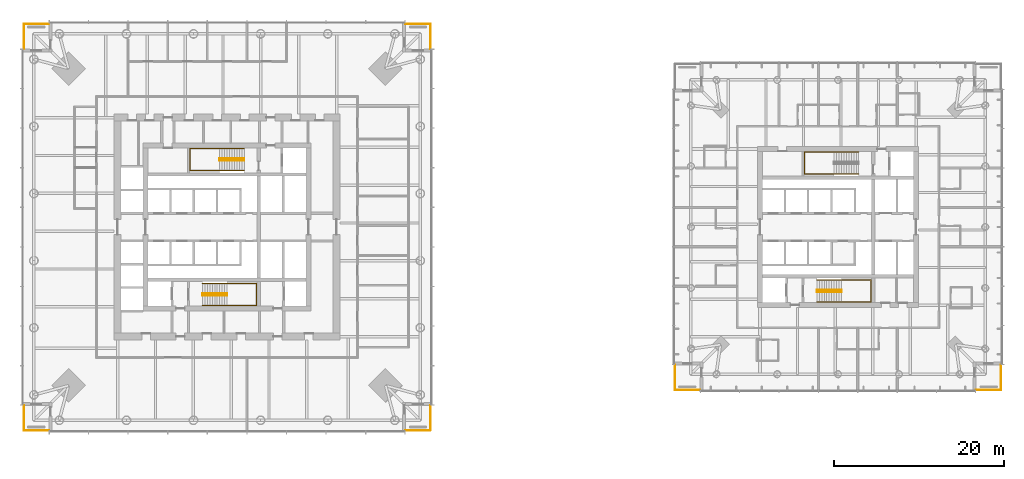
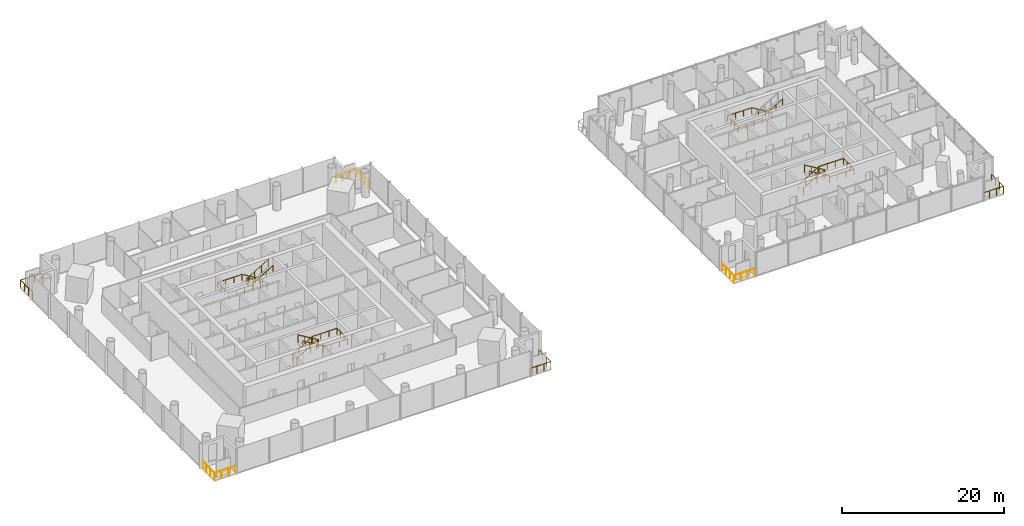
# One storey, part 20 of 21: 13 railings.
"""IFC4 building model written with IfcOpenShell, lengths in metres."""

from ifc_helpers import new_model, si_unit, direction, frame, origin, origin_2d, place, context, subcontext, project, spatial, circle, extrude, material, type_object, element, save


model = new_model("IFC4")

# Units and contexts
model_context = context("Model", 3, precision=1e-05, world=origin(), true_north=direction((0.0, 1.0)))
body_context = subcontext(model_context, "Body", "Model", "MODEL_VIEW")
ifc_project = project(units=[si_unit("LENGTHUNIT", "METRE"), si_unit("AREAUNIT", "SQUARE_METRE"), si_unit("VOLUMEUNIT", "CUBIC_METRE"), si_unit("PLANEANGLEUNIT", "RADIAN"), si_unit("MASSUNIT", "GRAM", prefix="KILO")], contexts=[model_context])

# Site, building, storey
site_placement = place(None, origin())
site = spatial("IfcSite", under=ifc_project, at=site_placement, CompositionType="ELEMENT")
building_placement = place(site_placement, origin())
building = spatial("IfcBuilding", under=site, at=building_placement, Name="Ostroluk Exchange", CompositionType="ELEMENT")
storey_placement = place(building_placement, frame((0.0, 0.0, 59.0)))
storey = spatial("IfcBuildingStorey", under=building, at=storey_placement, Name="L14", CompositionType="ELEMENT", Elevation=59.0)

# Railings
ifc_material_1 = material(Name="Stainless steel", Category="steel")
railing_type_1 = type_object("IfcRailingType", Name="Guard 1100 stainless steel", PredefinedType="GUARDRAIL", material=ifc_material_1)
railing_1_placement = place(storey_placement, frame((66.0, 22.050048828125, 0.0)))
element("IfcRailing", 1, at=railing_1_placement, inside=storey, type_object=railing_type_1, Name="Office tower SE balcony guard L14", PredefinedType="GUARDRAIL", context=body_context, shape_type="SweptSolid", body=[
    extrude(circle(Radius=0.02392578125, at=origin_2d()), frame((0.0, 0.0, 1.076171875), z_axis=(1.0, 0.0, 0.0), x_axis=(0.0, 1.0, 0.0)), (0.0, 0.0, 1.0), 2.949951171875),
    extrude(circle(Radius=0.02392578125, at=origin_2d()), frame((2.949951171875, 0.0, 1.076171875), z_axis=(0.0, 1.0, 0.0), x_axis=(-1.0, 0.0, 0.0)), (0.0, 0.0, 1.0), 2.949951171875),
    extrude(circle(Radius=0.02099609375, at=origin_2d()), origin(), (0.0, 0.0, 1.0), 1.052001953125),
    extrude(circle(Radius=0.02099609375, at=origin_2d()), frame((0.9833984375, 0.0, 0.0)), (0.0, 0.0, 1.0), 1.052001953125),
    extrude(circle(Radius=0.02099609375, at=origin_2d()), frame((1.966552734375, 0.0, 0.0)), (0.0, 0.0, 1.0), 1.052001953125),
    extrude(circle(Radius=0.02099609375, at=origin_2d()), frame((2.949951171875, 0.0, 0.0)), (0.0, 0.0, 1.0), 1.052001953125),
    extrude(circle(Radius=0.02099609375, at=origin_2d()), frame((2.949951171875, 0.9833984375, 0.0)), (0.0, 0.0, 1.0), 1.052001953125),
    extrude(circle(Radius=0.02099609375, at=origin_2d()), frame((2.949951171875, 1.966552734375, 0.0)), (0.0, 0.0, 1.0), 1.052001953125),
    extrude(circle(Radius=0.02099609375, at=origin_2d()), frame((2.949951171875, 2.949951171875, 0.0)), (0.0, 0.0, 1.0), 1.052001953125),
])
railing_2_placement = place(storey_placement, frame((66.0, 69.949951171875, 0.0)))
element("IfcRailing", 2, at=railing_2_placement, inside=storey, type_object=railing_type_1, Name="Office tower NE balcony guard L14", PredefinedType="GUARDRAIL", context=body_context, shape_type="SweptSolid", body=[
    extrude(circle(Radius=0.02392578125, at=origin_2d()), frame((0.0, 0.0, 1.076171875), z_axis=(1.0, 0.0, 0.0), x_axis=(0.0, 1.0, 0.0)), (0.0, 0.0, 1.0), 2.949951171875),
    extrude(circle(Radius=0.02392578125, at=origin_2d()), frame((2.949951171875, 0.0, 1.076171875), z_axis=(0.0, -1.0, 0.0), x_axis=(1.0, 0.0, 0.0)), (0.0, 0.0, 1.0), 2.949951171875),
    extrude(circle(Radius=0.02099609375, at=origin_2d()), origin(), (0.0, 0.0, 1.0), 1.052001953125),
    extrude(circle(Radius=0.02099609375, at=origin_2d()), frame((0.9833984375, 0.0, 0.0)), (0.0, 0.0, 1.0), 1.052001953125),
    extrude(circle(Radius=0.02099609375, at=origin_2d()), frame((1.966552734375, 0.0, 0.0)), (0.0, 0.0, 1.0), 1.052001953125),
    extrude(circle(Radius=0.02099609375, at=origin_2d()), frame((2.949951171875, 0.0, 0.0)), (0.0, 0.0, 1.0), 1.052001953125),
    extrude(circle(Radius=0.02099609375, at=origin_2d()), frame((2.949951171875, -0.9833984375, 0.0)), (0.0, 0.0, 1.0), 1.052001953125),
    extrude(circle(Radius=0.02099609375, at=origin_2d()), frame((2.949951171875, -1.966552734375, 0.0)), (0.0, 0.0, 1.0), 1.052001953125),
    extrude(circle(Radius=0.02099609375, at=origin_2d()), frame((2.949951171875, -2.949951171875, 0.0)), (0.0, 0.0, 1.0), 1.052001953125),
])
railing_3_placement = place(storey_placement, frame((24.0, 69.949951171875, 0.0)))
element("IfcRailing", 3, at=railing_3_placement, inside=storey, type_object=railing_type_1, Name="Office tower NW balcony guard L14", PredefinedType="GUARDRAIL", context=body_context, shape_type="SweptSolid", body=[
    extrude(circle(Radius=0.02392578125, at=origin_2d()), frame((0.0, 0.0, 1.076171875), z_axis=(-1.0, 0.0, 0.0), x_axis=(0.0, -1.0, 0.0)), (0.0, 0.0, 1.0), 2.949951171875),
    extrude(circle(Radius=0.02392578125, at=origin_2d()), frame((-2.949951171875, 0.0, 1.076171875), z_axis=(0.0, -1.0, 0.0), x_axis=(1.0, 0.0, 0.0)), (0.0, 0.0, 1.0), 2.949951171875),
    extrude(circle(Radius=0.02099609375, at=origin_2d()), origin(), (0.0, 0.0, 1.0), 1.052001953125),
    extrude(circle(Radius=0.02099609375, at=origin_2d()), frame((-0.9833984375, 0.0, 0.0)), (0.0, 0.0, 1.0), 1.052001953125),
    extrude(circle(Radius=0.02099609375, at=origin_2d()), frame((-1.966552734375, 0.0, 0.0)), (0.0, 0.0, 1.0), 1.052001953125),
    extrude(circle(Radius=0.02099609375, at=origin_2d()), frame((-2.949951171875, 0.0, 0.0)), (0.0, 0.0, 1.0), 1.052001953125),
    extrude(circle(Radius=0.02099609375, at=origin_2d()), frame((-2.949951171875, -0.9833984375, 0.0)), (0.0, 0.0, 1.0), 1.052001953125),
    extrude(circle(Radius=0.02099609375, at=origin_2d()), frame((-2.949951171875, -1.966552734375, 0.0)), (0.0, 0.0, 1.0), 1.052001953125),
    extrude(circle(Radius=0.02099609375, at=origin_2d()), frame((-2.949951171875, -2.949951171875, 0.0)), (0.0, 0.0, 1.0), 1.052001953125),
])
railing_4_placement = place(storey_placement, frame((24.0, 22.050048828125, 0.0)))
element("IfcRailing", 4, at=railing_4_placement, inside=storey, type_object=railing_type_1, Name="Office tower SW balcony guard L14", PredefinedType="GUARDRAIL", context=body_context, shape_type="SweptSolid", body=[
    extrude(circle(Radius=0.02392578125, at=origin_2d()), frame((0.0, 0.0, 1.076171875), z_axis=(-1.0, 0.0, 0.0), x_axis=(0.0, -1.0, 0.0)), (0.0, 0.0, 1.0), 2.949951171875),
    extrude(circle(Radius=0.02392578125, at=origin_2d()), frame((-2.949951171875, 0.0, 1.076171875), z_axis=(0.0, 1.0, 0.0), x_axis=(-1.0, 0.0, 0.0)), (0.0, 0.0, 1.0), 2.949951171875),
    extrude(circle(Radius=0.02099609375, at=origin_2d()), origin(), (0.0, 0.0, 1.0), 1.052001953125),
    extrude(circle(Radius=0.02099609375, at=origin_2d()), frame((-0.9833984375, 0.0, 0.0)), (0.0, 0.0, 1.0), 1.052001953125),
    extrude(circle(Radius=0.02099609375, at=origin_2d()), frame((-1.966552734375, 0.0, 0.0)), (0.0, 0.0, 1.0), 1.052001953125),
    extrude(circle(Radius=0.02099609375, at=origin_2d()), frame((-2.949951171875, 0.0, 0.0)), (0.0, 0.0, 1.0), 1.052001953125),
    extrude(circle(Radius=0.02099609375, at=origin_2d()), frame((-2.949951171875, 0.9833984375, 0.0)), (0.0, 0.0, 1.0), 1.052001953125),
    extrude(circle(Radius=0.02099609375, at=origin_2d()), frame((-2.949951171875, 1.966552734375, 0.0)), (0.0, 0.0, 1.0), 1.052001953125),
    extrude(circle(Radius=0.02099609375, at=origin_2d()), frame((-2.949951171875, 2.949951171875, 0.0)), (0.0, 0.0, 1.0), 1.052001953125),
])
railing_5_placement = place(storey_placement, frame((133.25, 26.800048828125, 0.0)))
element("IfcRailing", 5, at=railing_5_placement, inside=storey, type_object=railing_type_1, Name="Hotel tower SE balcony guard L14", PredefinedType="GUARDRAIL", context=body_context, shape_type="SweptSolid", body=[
    extrude(circle(Radius=0.02392578125, at=origin_2d()), frame((0.0, 0.0, 1.076171875), z_axis=(1.0, 0.0, 0.0), x_axis=(0.0, 1.0, 0.0)), (0.0, 0.0, 1.0), 2.949951171875),
    extrude(circle(Radius=0.02392578125, at=origin_2d()), frame((2.949951171875, 0.0, 1.076171875), z_axis=(0.0, 1.0, 0.0), x_axis=(-1.0, 0.0, 0.0)), (0.0, 0.0, 1.0), 2.949951171875),
    extrude(circle(Radius=0.02099609375, at=origin_2d()), origin(), (0.0, 0.0, 1.0), 1.052001953125),
    extrude(circle(Radius=0.02099609375, at=origin_2d()), frame((0.9833984375, 0.0, 0.0)), (0.0, 0.0, 1.0), 1.052001953125),
    extrude(circle(Radius=0.02099609375, at=origin_2d()), frame((1.966552734375, 0.0, 0.0)), (0.0, 0.0, 1.0), 1.052001953125),
    extrude(circle(Radius=0.02099609375, at=origin_2d()), frame((2.949951171875, 0.0, 0.0)), (0.0, 0.0, 1.0), 1.052001953125),
    extrude(circle(Radius=0.02099609375, at=origin_2d()), frame((2.949951171875, 0.9833984375, 0.0)), (0.0, 0.0, 1.0), 1.052001953125),
    extrude(circle(Radius=0.02099609375, at=origin_2d()), frame((2.949951171875, 1.966552734375, 0.0)), (0.0, 0.0, 1.0), 1.052001953125),
    extrude(circle(Radius=0.02099609375, at=origin_2d()), frame((2.949951171875, 2.949951171875, 0.0)), (0.0, 0.0, 1.0), 1.052001953125),
])
railing_6_placement = place(storey_placement, frame((100.75, 26.800048828125, 0.0)))
element("IfcRailing", 6, at=railing_6_placement, inside=storey, type_object=railing_type_1, Name="Hotel tower SW balcony guard L14", PredefinedType="GUARDRAIL", context=body_context, shape_type="SweptSolid", body=[
    extrude(circle(Radius=0.02392578125, at=origin_2d()), frame((0.0, 0.0, 1.076171875), z_axis=(-1.0, 0.0, 0.0), x_axis=(0.0, -1.0, 0.0)), (0.0, 0.0, 1.0), 2.949951171875),
    extrude(circle(Radius=0.02392578125, at=origin_2d()), frame((-2.949951171875, 0.0, 1.076171875), z_axis=(0.0, 1.0, 0.0), x_axis=(-1.0, 0.0, 0.0)), (0.0, 0.0, 1.0), 2.949951171875),
    extrude(circle(Radius=0.02099609375, at=origin_2d()), origin(), (0.0, 0.0, 1.0), 1.052001953125),
    extrude(circle(Radius=0.02099609375, at=origin_2d()), frame((-0.9833984375, 0.0, 0.0)), (0.0, 0.0, 1.0), 1.052001953125),
    extrude(circle(Radius=0.02099609375, at=origin_2d()), frame((-1.966552734375, 0.0, 0.0)), (0.0, 0.0, 1.0), 1.052001953125),
    extrude(circle(Radius=0.02099609375, at=origin_2d()), frame((-2.949951171875, 0.0, 0.0)), (0.0, 0.0, 1.0), 1.052001953125),
    extrude(circle(Radius=0.02099609375, at=origin_2d()), frame((-2.949951171875, 0.9833984375, 0.0)), (0.0, 0.0, 1.0), 1.052001953125),
    extrude(circle(Radius=0.02099609375, at=origin_2d()), frame((-2.949951171875, 1.966552734375, 0.0)), (0.0, 0.0, 1.0), 1.052001953125),
    extrude(circle(Radius=0.02099609375, at=origin_2d()), frame((-2.949951171875, 2.949951171875, 0.0)), (0.0, 0.0, 1.0), 1.052001953125),
])
ifc_material_2 = material(Name="Steel S355", Category="steel")
railing_type_2 = type_object("IfcRailingType", Name="Stair guard 1100", PredefinedType="GUARDRAIL", material=ifc_material_2)
railing_7_placement = place(storey_placement, frame((42.10009765625, 38.179931640625, 0.172607421875)))
element("IfcRailing", 7, at=railing_7_placement, inside=storey, type_object=railing_type_2, Name="Stair T1-S1 guard L14", PredefinedType="GUARDRAIL", context=body_context, shape_type="SweptSolid", body=[
    extrude(circle(Radius=0.02392578125, at=origin_2d()), frame((0.0, 0.0, 1.076171875), z_axis=(0.859141464434, 0.0, 0.511738159696), x_axis=(0.0, 1.0, 0.0)), (0.0, 0.0, 1.0), 3.375244140625),
    extrude(circle(Radius=0.02392578125, at=origin_2d()), frame((2.89990234375, 0.0, 2.80322265625), z_axis=(0.0, -1.0, 0.0), x_axis=(1.0, 0.0, 0.0)), (0.0, 0.0, 1.0), 0.260009765625),
    extrude(circle(Radius=0.02392578125, at=origin_2d()), frame((2.89990234375, -0.260009765625, 2.80322265625), z_axis=(0.0, 0.0, 1.0), x_axis=(1.0, 0.0, 0.0)), (0.0, 0.0, 1.0), 0.1728515625),
    extrude(circle(Radius=0.02392578125, at=origin_2d()), frame((2.89990234375, -0.260009765625, 2.97607421875), z_axis=(-0.859141464434, 0.0, 0.511738159696), x_axis=(0.0, -1.0, 0.0)), (0.0, 0.0, 1.0), 3.375244140625),
    extrude(circle(Radius=0.02099609375, at=origin_2d()), origin(), (0.0, 0.0, 1.0), 1.052001953125),
    extrude(circle(Radius=0.02099609375, at=origin_2d()), frame((0.966552734375, 0.0, 0.57568359375)), (0.0, 0.0, 1.0), 1.052001953125),
    extrude(circle(Radius=0.02099609375, at=origin_2d()), frame((1.933349609375, 0.0, 1.151611328125)), (0.0, 0.0, 1.0), 1.052001953125),
    extrude(circle(Radius=0.02099609375, at=origin_2d()), frame((2.89990234375, 0.0, 1.727294921875)), (0.0, 0.0, 1.0), 1.052001953125),
    extrude(circle(Radius=0.02099609375, at=origin_2d()), frame((2.89990234375, -0.260009765625, 1.727294921875)), (0.0, 0.0, 1.0), 1.052001953125),
    extrude(circle(Radius=0.02099609375, at=origin_2d()), frame((2.89990234375, -0.260009765625, 1.900146484375)), (0.0, 0.0, 1.0), 1.052001953125),
    extrude(circle(Radius=0.02099609375, at=origin_2d()), frame((1.933349609375, -0.260009765625, 2.475830078125)), (0.0, 0.0, 1.0), 1.052001953125),
    extrude(circle(Radius=0.02099609375, at=origin_2d()), frame((0.966552734375, -0.260009765625, 3.0517578125)), (0.0, 0.0, 1.0), 1.052001953125),
    extrude(circle(Radius=0.02099609375, at=origin_2d()), frame((0.0, -0.260009765625, 3.62744140625)), (0.0, 0.0, 1.0), 1.052001953125),
])
railing_8_placement = place(storey_placement, frame((47.030029296875, 54.080078125, 0.172607421875)))
element("IfcRailing", 8, at=railing_8_placement, inside=storey, type_object=railing_type_2, Name="Stair T1-S2 guard L14", PredefinedType="GUARDRAIL", context=body_context, shape_type="SweptSolid", body=[
    extrude(circle(Radius=0.02392578125, at=origin_2d()), frame((0.0, 0.0, 1.076171875), z_axis=(-0.859160404282, 0.0, 0.51170636083), x_axis=(0.0, -1.0, 0.0)), (0.0, 0.0, 1.0), 3.37548828125),
    extrude(circle(Radius=0.02392578125, at=origin_2d()), frame((-2.900146484375, 0.0, 2.80322265625), z_axis=(0.0, -1.0, 0.0), x_axis=(1.0, 0.0, 0.0)), (0.0, 0.0, 1.0), 0.260009765625),
    extrude(circle(Radius=0.02392578125, at=origin_2d()), frame((-2.900146484375, -0.260009765625, 2.80322265625), z_axis=(0.0, 0.0, 1.0), x_axis=(1.0, 0.0, 0.0)), (0.0, 0.0, 1.0), 0.1728515625),
    extrude(circle(Radius=0.02392578125, at=origin_2d()), frame((-2.900146484375, -0.260009765625, 2.97607421875), z_axis=(0.859160404282, 0.0, 0.51170636083), x_axis=(0.0, 1.0, 0.0)), (0.0, 0.0, 1.0), 3.37548828125),
    extrude(circle(Radius=0.02099609375, at=origin_2d()), origin(), (0.0, 0.0, 1.0), 1.052001953125),
    extrude(circle(Radius=0.02099609375, at=origin_2d()), frame((-0.966796875, 0.0, 0.57568359375)), (0.0, 0.0, 1.0), 1.052001953125),
    extrude(circle(Radius=0.02099609375, at=origin_2d()), frame((-1.933349609375, 0.0, 1.151611328125)), (0.0, 0.0, 1.0), 1.052001953125),
    extrude(circle(Radius=0.02099609375, at=origin_2d()), frame((-2.900146484375, 0.0, 1.727294921875)), (0.0, 0.0, 1.0), 1.052001953125),
    extrude(circle(Radius=0.02099609375, at=origin_2d()), frame((-2.900146484375, -0.260009765625, 1.727294921875)), (0.0, 0.0, 1.0), 1.052001953125),
    extrude(circle(Radius=0.02099609375, at=origin_2d()), frame((-2.900146484375, -0.260009765625, 1.900146484375)), (0.0, 0.0, 1.0), 1.052001953125),
    extrude(circle(Radius=0.02099609375, at=origin_2d()), frame((-1.933349609375, -0.260009765625, 2.475830078125)), (0.0, 0.0, 1.0), 1.052001953125),
    extrude(circle(Radius=0.02099609375, at=origin_2d()), frame((-0.966796875, -0.260009765625, 3.0517578125)), (0.0, 0.0, 1.0), 1.052001953125),
    extrude(circle(Radius=0.02099609375, at=origin_2d()), frame((0.0, -0.260009765625, 3.62744140625)), (0.0, 0.0, 1.0), 1.052001953125),
])
railing_9_placement = place(storey_placement, frame((114.5, 38.580078125, 0.172607421875)))
element("IfcRailing", 9, at=railing_9_placement, inside=storey, type_object=railing_type_2, Name="Stair T2-S1 guard L14", PredefinedType="GUARDRAIL", context=body_context, shape_type="SweptSolid", body=[
    extrude(circle(Radius=0.02392578125, at=origin_2d()), frame((0.0, 0.0, 1.076171875), z_axis=(0.859141464434, 0.0, 0.511738159696), x_axis=(0.0, 1.0, 0.0)), (0.0, 0.0, 1.0), 3.375244140625),
    extrude(circle(Radius=0.02392578125, at=origin_2d()), frame((2.89990234375, 0.0, 2.80322265625), z_axis=(0.0, -1.0, 0.0), x_axis=(1.0, 0.0, 0.0)), (0.0, 0.0, 1.0), 0.260009765625),
    extrude(circle(Radius=0.02392578125, at=origin_2d()), frame((2.89990234375, -0.260009765625, 2.80322265625), z_axis=(0.0, 0.0, 1.0), x_axis=(1.0, 0.0, 0.0)), (0.0, 0.0, 1.0), 0.1728515625),
    extrude(circle(Radius=0.02392578125, at=origin_2d()), frame((2.89990234375, -0.260009765625, 2.97607421875), z_axis=(-0.859141464434, 0.0, 0.511738159696), x_axis=(0.0, -1.0, 0.0)), (0.0, 0.0, 1.0), 3.375244140625),
    extrude(circle(Radius=0.02099609375, at=origin_2d()), origin(), (0.0, 0.0, 1.0), 1.052001953125),
    extrude(circle(Radius=0.02099609375, at=origin_2d()), frame((0.966552734375, 0.0, 0.57568359375)), (0.0, 0.0, 1.0), 1.052001953125),
    extrude(circle(Radius=0.02099609375, at=origin_2d()), frame((1.933349609375, 0.0, 1.151611328125)), (0.0, 0.0, 1.0), 1.052001953125),
    extrude(circle(Radius=0.02099609375, at=origin_2d()), frame((2.89990234375, 0.0, 1.727294921875)), (0.0, 0.0, 1.0), 1.052001953125),
    extrude(circle(Radius=0.02099609375, at=origin_2d()), frame((2.89990234375, -0.260009765625, 1.727294921875)), (0.0, 0.0, 1.0), 1.052001953125),
    extrude(circle(Radius=0.02099609375, at=origin_2d()), frame((2.89990234375, -0.260009765625, 1.900146484375)), (0.0, 0.0, 1.0), 1.052001953125),
    extrude(circle(Radius=0.02099609375, at=origin_2d()), frame((1.933349609375, -0.260009765625, 2.475830078125)), (0.0, 0.0, 1.0), 1.052001953125),
    extrude(circle(Radius=0.02099609375, at=origin_2d()), frame((0.966552734375, -0.260009765625, 3.0517578125)), (0.0, 0.0, 1.0), 1.052001953125),
    extrude(circle(Radius=0.02099609375, at=origin_2d()), frame((0.0, -0.260009765625, 3.62744140625)), (0.0, 0.0, 1.0), 1.052001953125),
])
ifc_material_3 = material(Name="Stainless steel", Category="steel")
railing_type_3 = type_object("IfcRailingType", Name="Stair handrail 900", PredefinedType="HANDRAIL", material=ifc_material_3)
railing_10_placement = place(storey_placement, frame((42.10009765625, 39.35009765625, 0.172607421875)))
element("IfcRailing", 10, at=railing_10_placement, inside=storey, type_object=railing_type_3, Name="Stair T1-S1 handrail L14", PredefinedType="HANDRAIL", context=body_context, shape_type="SweptSolid", body=[
    extrude(circle(Radius=0.02392578125, at=origin_2d()), frame((0.0, 0.0, 0.8759765625), z_axis=(0.859141464434, 0.0, 0.511738159696), x_axis=(0.0, 1.0, 0.0)), (0.0, 0.0, 1.0), 3.375244140625),
    extrude(circle(Radius=0.02392578125, at=origin_2d()), frame((2.89990234375, 0.0, 2.60302734375), z_axis=(1.0, 0.0, 0.0), x_axis=(0.0, 1.0, 0.0)), (0.0, 0.0, 1.0), 3.47998046875),
    extrude(circle(Radius=0.02392578125, at=origin_2d()), frame((6.3798828125, 0.0, 2.60302734375), z_axis=(0.0, -1.0, 0.0), x_axis=(1.0, 0.0, 0.0)), (0.0, 0.0, 1.0), 2.60009765625),
    extrude(circle(Radius=0.02392578125, at=origin_2d()), frame((6.3798828125, -2.60009765625, 2.60302734375), z_axis=(-1.0, 0.0, 0.0), x_axis=(0.0, -1.0, 0.0)), (0.0, 0.0, 1.0), 3.47998046875),
    extrude(circle(Radius=0.02392578125, at=origin_2d()), frame((2.89990234375, -2.60009765625, 2.60302734375), z_axis=(0.0, 0.0, 1.0), x_axis=(1.0, 0.0, 0.0)), (0.0, 0.0, 1.0), 0.1728515625),
    extrude(circle(Radius=0.02392578125, at=origin_2d()), frame((2.89990234375, -2.60009765625, 2.77587890625), z_axis=(-0.859141464434, 0.0, 0.511738159696), x_axis=(0.0, -1.0, 0.0)), (0.0, 0.0, 1.0), 3.375244140625),
    extrude(circle(Radius=0.02099609375, at=origin_2d()), origin(), (0.0, 0.0, 1.0), 0.851806640625),
    extrude(circle(Radius=0.02099609375, at=origin_2d()), frame((0.966552734375, 0.0, 0.57568359375)), (0.0, 0.0, 1.0), 0.851806640625),
    extrude(circle(Radius=0.02099609375, at=origin_2d()), frame((1.933349609375, 0.0, 1.151611328125)), (0.0, 0.0, 1.0), 0.851806640625),
    extrude(circle(Radius=0.02099609375, at=origin_2d()), frame((2.89990234375, 0.0, 1.727294921875)), (0.0, 0.0, 1.0), 0.851806640625),
    extrude(circle(Radius=0.02099609375, at=origin_2d()), frame((4.059814453125, 0.0, 1.727294921875)), (0.0, 0.0, 1.0), 0.851806640625),
    extrude(circle(Radius=0.02099609375, at=origin_2d()), frame((5.219970703125, 0.0, 1.727294921875)), (0.0, 0.0, 1.0), 0.851806640625),
    extrude(circle(Radius=0.02099609375, at=origin_2d()), frame((6.3798828125, 0.0, 1.727294921875)), (0.0, 0.0, 1.0), 0.851806640625),
    extrude(circle(Radius=0.02099609375, at=origin_2d()), frame((6.3798828125, -0.86669921875, 1.727294921875)), (0.0, 0.0, 1.0), 0.851806640625),
    extrude(circle(Radius=0.02099609375, at=origin_2d()), frame((6.3798828125, -1.7333984375, 1.727294921875)), (0.0, 0.0, 1.0), 0.851806640625),
    extrude(circle(Radius=0.02099609375, at=origin_2d()), frame((6.3798828125, -2.60009765625, 1.727294921875)), (0.0, 0.0, 1.0), 0.851806640625),
    extrude(circle(Radius=0.02099609375, at=origin_2d()), frame((5.219970703125, -2.60009765625, 1.727294921875)), (0.0, 0.0, 1.0), 0.851806640625),
    extrude(circle(Radius=0.02099609375, at=origin_2d()), frame((4.059814453125, -2.60009765625, 1.727294921875)), (0.0, 0.0, 1.0), 0.851806640625),
    extrude(circle(Radius=0.02099609375, at=origin_2d()), frame((2.89990234375, -2.60009765625, 1.727294921875)), (0.0, 0.0, 1.0), 0.851806640625),
    extrude(circle(Radius=0.02099609375, at=origin_2d()), frame((2.89990234375, -2.60009765625, 1.900146484375)), (0.0, 0.0, 1.0), 0.851806640625),
    extrude(circle(Radius=0.02099609375, at=origin_2d()), frame((1.933349609375, -2.60009765625, 2.475830078125)), (0.0, 0.0, 1.0), 0.851806640625),
    extrude(circle(Radius=0.02099609375, at=origin_2d()), frame((0.966552734375, -2.60009765625, 3.0517578125)), (0.0, 0.0, 1.0), 0.851806640625),
    extrude(circle(Radius=0.02099609375, at=origin_2d()), frame((0.0, -2.60009765625, 3.62744140625)), (0.0, 0.0, 1.0), 0.851806640625),
])
railing_11_placement = place(storey_placement, frame((47.030029296875, 55.25, 0.172607421875)))
element("IfcRailing", 11, at=railing_11_placement, inside=storey, type_object=railing_type_3, Name="Stair T1-S2 handrail L14", PredefinedType="HANDRAIL", context=body_context, shape_type="SweptSolid", body=[
    extrude(circle(Radius=0.02392578125, at=origin_2d()), frame((0.0, 0.0, 0.8759765625), z_axis=(-0.859160404282, 0.0, 0.51170636083), x_axis=(0.0, -1.0, 0.0)), (0.0, 0.0, 1.0), 3.37548828125),
    extrude(circle(Radius=0.02392578125, at=origin_2d()), frame((-2.900146484375, 0.0, 2.60302734375), z_axis=(-1.0, 0.0, 0.0), x_axis=(0.0, -1.0, 0.0)), (0.0, 0.0, 1.0), 3.47998046875),
    extrude(circle(Radius=0.02392578125, at=origin_2d()), frame((-6.380126953125, 0.0, 2.60302734375), z_axis=(0.0, -1.0, 0.0), x_axis=(1.0, 0.0, 0.0)), (0.0, 0.0, 1.0), 2.60009765625),
    extrude(circle(Radius=0.02392578125, at=origin_2d()), frame((-6.380126953125, -2.60009765625, 2.60302734375), z_axis=(1.0, 0.0, 0.0), x_axis=(0.0, 1.0, 0.0)), (0.0, 0.0, 1.0), 3.47998046875),
    extrude(circle(Radius=0.02392578125, at=origin_2d()), frame((-2.900146484375, -2.60009765625, 2.60302734375), z_axis=(0.0, 0.0, 1.0), x_axis=(1.0, 0.0, 0.0)), (0.0, 0.0, 1.0), 0.1728515625),
    extrude(circle(Radius=0.02392578125, at=origin_2d()), frame((-2.900146484375, -2.60009765625, 2.77587890625), z_axis=(0.859160404282, 0.0, 0.51170636083), x_axis=(0.0, 1.0, 0.0)), (0.0, 0.0, 1.0), 3.37548828125),
    extrude(circle(Radius=0.02099609375, at=origin_2d()), origin(), (0.0, 0.0, 1.0), 0.851806640625),
    extrude(circle(Radius=0.02099609375, at=origin_2d()), frame((-0.966796875, 0.0, 0.57568359375)), (0.0, 0.0, 1.0), 0.851806640625),
    extrude(circle(Radius=0.02099609375, at=origin_2d()), frame((-1.933349609375, 0.0, 1.151611328125)), (0.0, 0.0, 1.0), 0.851806640625),
    extrude(circle(Radius=0.02099609375, at=origin_2d()), frame((-2.900146484375, 0.0, 1.727294921875)), (0.0, 0.0, 1.0), 0.851806640625),
    extrude(circle(Radius=0.02099609375, at=origin_2d()), frame((-4.06005859375, 0.0, 1.727294921875)), (0.0, 0.0, 1.0), 0.851806640625),
    extrude(circle(Radius=0.02099609375, at=origin_2d()), frame((-5.22021484375, 0.0, 1.727294921875)), (0.0, 0.0, 1.0), 0.851806640625),
    extrude(circle(Radius=0.02099609375, at=origin_2d()), frame((-6.380126953125, 0.0, 1.727294921875)), (0.0, 0.0, 1.0), 0.851806640625),
    extrude(circle(Radius=0.02099609375, at=origin_2d()), frame((-6.380126953125, -0.86669921875, 1.727294921875)), (0.0, 0.0, 1.0), 0.851806640625),
    extrude(circle(Radius=0.02099609375, at=origin_2d()), frame((-6.380126953125, -1.7333984375, 1.727294921875)), (0.0, 0.0, 1.0), 0.851806640625),
    extrude(circle(Radius=0.02099609375, at=origin_2d()), frame((-6.380126953125, -2.60009765625, 1.727294921875)), (0.0, 0.0, 1.0), 0.851806640625),
    extrude(circle(Radius=0.02099609375, at=origin_2d()), frame((-5.22021484375, -2.60009765625, 1.727294921875)), (0.0, 0.0, 1.0), 0.851806640625),
    extrude(circle(Radius=0.02099609375, at=origin_2d()), frame((-4.06005859375, -2.60009765625, 1.727294921875)), (0.0, 0.0, 1.0), 0.851806640625),
    extrude(circle(Radius=0.02099609375, at=origin_2d()), frame((-2.900146484375, -2.60009765625, 1.727294921875)), (0.0, 0.0, 1.0), 0.851806640625),
    extrude(circle(Radius=0.02099609375, at=origin_2d()), frame((-2.900146484375, -2.60009765625, 1.900146484375)), (0.0, 0.0, 1.0), 0.851806640625),
    extrude(circle(Radius=0.02099609375, at=origin_2d()), frame((-1.933349609375, -2.60009765625, 2.475830078125)), (0.0, 0.0, 1.0), 0.851806640625),
    extrude(circle(Radius=0.02099609375, at=origin_2d()), frame((-0.966796875, -2.60009765625, 3.0517578125)), (0.0, 0.0, 1.0), 0.851806640625),
    extrude(circle(Radius=0.02099609375, at=origin_2d()), frame((0.0, -2.60009765625, 3.62744140625)), (0.0, 0.0, 1.0), 0.851806640625),
])
railing_12_placement = place(storey_placement, frame((114.5, 39.75, 0.172607421875)))
element("IfcRailing", 12, at=railing_12_placement, inside=storey, type_object=railing_type_3, Name="Stair T2-S1 handrail L14", PredefinedType="HANDRAIL", context=body_context, shape_type="SweptSolid", body=[
    extrude(circle(Radius=0.02392578125, at=origin_2d()), frame((0.0, 0.0, 0.8759765625), z_axis=(0.859141464434, 0.0, 0.511738159696), x_axis=(0.0, 1.0, 0.0)), (0.0, 0.0, 1.0), 3.375244140625),
    extrude(circle(Radius=0.02392578125, at=origin_2d()), frame((2.89990234375, 0.0, 2.60302734375), z_axis=(1.0, 0.0, 0.0), x_axis=(0.0, 1.0, 0.0)), (0.0, 0.0, 1.0), 3.47998046875),
    extrude(circle(Radius=0.02392578125, at=origin_2d()), frame((6.3798828125, 0.0, 2.60302734375), z_axis=(0.0, -1.0, 0.0), x_axis=(1.0, 0.0, 0.0)), (0.0, 0.0, 1.0), 2.60009765625),
    extrude(circle(Radius=0.02392578125, at=origin_2d()), frame((6.3798828125, -2.60009765625, 2.60302734375), z_axis=(-1.0, 0.0, 0.0), x_axis=(0.0, -1.0, 0.0)), (0.0, 0.0, 1.0), 3.47998046875),
    extrude(circle(Radius=0.02392578125, at=origin_2d()), frame((2.89990234375, -2.60009765625, 2.60302734375), z_axis=(0.0, 0.0, 1.0), x_axis=(1.0, 0.0, 0.0)), (0.0, 0.0, 1.0), 0.1728515625),
    extrude(circle(Radius=0.02392578125, at=origin_2d()), frame((2.89990234375, -2.60009765625, 2.77587890625), z_axis=(-0.859141464434, 0.0, 0.511738159696), x_axis=(0.0, -1.0, 0.0)), (0.0, 0.0, 1.0), 3.375244140625),
    extrude(circle(Radius=0.02099609375, at=origin_2d()), origin(), (0.0, 0.0, 1.0), 0.851806640625),
    extrude(circle(Radius=0.02099609375, at=origin_2d()), frame((0.966552734375, 0.0, 0.57568359375)), (0.0, 0.0, 1.0), 0.851806640625),
    extrude(circle(Radius=0.02099609375, at=origin_2d()), frame((1.933349609375, 0.0, 1.151611328125)), (0.0, 0.0, 1.0), 0.851806640625),
    extrude(circle(Radius=0.02099609375, at=origin_2d()), frame((2.89990234375, 0.0, 1.727294921875)), (0.0, 0.0, 1.0), 0.851806640625),
    extrude(circle(Radius=0.02099609375, at=origin_2d()), frame((4.059814453125, 0.0, 1.727294921875)), (0.0, 0.0, 1.0), 0.851806640625),
    extrude(circle(Radius=0.02099609375, at=origin_2d()), frame((5.219970703125, 0.0, 1.727294921875)), (0.0, 0.0, 1.0), 0.851806640625),
    extrude(circle(Radius=0.02099609375, at=origin_2d()), frame((6.3798828125, 0.0, 1.727294921875)), (0.0, 0.0, 1.0), 0.851806640625),
    extrude(circle(Radius=0.02099609375, at=origin_2d()), frame((6.3798828125, -0.86669921875, 1.727294921875)), (0.0, 0.0, 1.0), 0.851806640625),
    extrude(circle(Radius=0.02099609375, at=origin_2d()), frame((6.3798828125, -1.7333984375, 1.727294921875)), (0.0, 0.0, 1.0), 0.851806640625),
    extrude(circle(Radius=0.02099609375, at=origin_2d()), frame((6.3798828125, -2.60009765625, 1.727294921875)), (0.0, 0.0, 1.0), 0.851806640625),
    extrude(circle(Radius=0.02099609375, at=origin_2d()), frame((5.219970703125, -2.60009765625, 1.727294921875)), (0.0, 0.0, 1.0), 0.851806640625),
    extrude(circle(Radius=0.02099609375, at=origin_2d()), frame((4.059814453125, -2.60009765625, 1.727294921875)), (0.0, 0.0, 1.0), 0.851806640625),
    extrude(circle(Radius=0.02099609375, at=origin_2d()), frame((2.89990234375, -2.60009765625, 1.727294921875)), (0.0, 0.0, 1.0), 0.851806640625),
    extrude(circle(Radius=0.02099609375, at=origin_2d()), frame((2.89990234375, -2.60009765625, 1.900146484375)), (0.0, 0.0, 1.0), 0.851806640625),
    extrude(circle(Radius=0.02099609375, at=origin_2d()), frame((1.933349609375, -2.60009765625, 2.475830078125)), (0.0, 0.0, 1.0), 0.851806640625),
    extrude(circle(Radius=0.02099609375, at=origin_2d()), frame((0.966552734375, -2.60009765625, 3.0517578125)), (0.0, 0.0, 1.0), 0.851806640625),
    extrude(circle(Radius=0.02099609375, at=origin_2d()), frame((0.0, -2.60009765625, 3.62744140625)), (0.0, 0.0, 1.0), 0.851806640625),
])
railing_13_placement = place(storey_placement, frame((119.429931640625, 54.85009765625, 0.172607421875)))
element("IfcRailing", 13, at=railing_13_placement, inside=storey, type_object=railing_type_3, Name="Stair T2-S2 handrail L14", PredefinedType="HANDRAIL", context=body_context, shape_type="SweptSolid", body=[
    extrude(circle(Radius=0.02392578125, at=origin_2d()), frame((0.0, 0.0, 0.8759765625), z_axis=(-0.859141464434, 0.0, 0.511738159696), x_axis=(0.0, -1.0, 0.0)), (0.0, 0.0, 1.0), 3.375244140625),
    extrude(circle(Radius=0.02392578125, at=origin_2d()), frame((-2.89990234375, 0.0, 2.60302734375), z_axis=(-1.0, 0.0, 0.0), x_axis=(0.0, -1.0, 0.0)), (0.0, 0.0, 1.0), 3.47998046875),
    extrude(circle(Radius=0.02392578125, at=origin_2d()), frame((-6.3798828125, 0.0, 2.60302734375), z_axis=(0.0, -1.0, 0.0), x_axis=(1.0, 0.0, 0.0)), (0.0, 0.0, 1.0), 2.60009765625),
    extrude(circle(Radius=0.02392578125, at=origin_2d()), frame((-6.3798828125, -2.60009765625, 2.60302734375), z_axis=(1.0, 0.0, 0.0), x_axis=(0.0, 1.0, 0.0)), (0.0, 0.0, 1.0), 3.47998046875),
    extrude(circle(Radius=0.02392578125, at=origin_2d()), frame((-2.89990234375, -2.60009765625, 2.60302734375), z_axis=(0.0, 0.0, 1.0), x_axis=(1.0, 0.0, 0.0)), (0.0, 0.0, 1.0), 0.1728515625),
    extrude(circle(Radius=0.02392578125, at=origin_2d()), frame((-2.89990234375, -2.60009765625, 2.77587890625), z_axis=(0.859141464434, 0.0, 0.511738159696), x_axis=(0.0, 1.0, 0.0)), (0.0, 0.0, 1.0), 3.375244140625),
    extrude(circle(Radius=0.02099609375, at=origin_2d()), origin(), (0.0, 0.0, 1.0), 0.851806640625),
    extrude(circle(Radius=0.02099609375, at=origin_2d()), frame((-0.966552734375, 0.0, 0.57568359375)), (0.0, 0.0, 1.0), 0.851806640625),
    extrude(circle(Radius=0.02099609375, at=origin_2d()), frame((-1.933349609375, 0.0, 1.151611328125)), (0.0, 0.0, 1.0), 0.851806640625),
    extrude(circle(Radius=0.02099609375, at=origin_2d()), frame((-2.89990234375, 0.0, 1.727294921875)), (0.0, 0.0, 1.0), 0.851806640625),
    extrude(circle(Radius=0.02099609375, at=origin_2d()), frame((-4.059814453125, 0.0, 1.727294921875)), (0.0, 0.0, 1.0), 0.851806640625),
    extrude(circle(Radius=0.02099609375, at=origin_2d()), frame((-5.219970703125, 0.0, 1.727294921875)), (0.0, 0.0, 1.0), 0.851806640625),
    extrude(circle(Radius=0.02099609375, at=origin_2d()), frame((-6.3798828125, 0.0, 1.727294921875)), (0.0, 0.0, 1.0), 0.851806640625),
    extrude(circle(Radius=0.02099609375, at=origin_2d()), frame((-6.3798828125, -0.86669921875, 1.727294921875)), (0.0, 0.0, 1.0), 0.851806640625),
    extrude(circle(Radius=0.02099609375, at=origin_2d()), frame((-6.3798828125, -1.7333984375, 1.727294921875)), (0.0, 0.0, 1.0), 0.851806640625),
    extrude(circle(Radius=0.02099609375, at=origin_2d()), frame((-6.3798828125, -2.60009765625, 1.727294921875)), (0.0, 0.0, 1.0), 0.851806640625),
    extrude(circle(Radius=0.02099609375, at=origin_2d()), frame((-5.219970703125, -2.60009765625, 1.727294921875)), (0.0, 0.0, 1.0), 0.851806640625),
    extrude(circle(Radius=0.02099609375, at=origin_2d()), frame((-4.059814453125, -2.60009765625, 1.727294921875)), (0.0, 0.0, 1.0), 0.851806640625),
    extrude(circle(Radius=0.02099609375, at=origin_2d()), frame((-2.89990234375, -2.60009765625, 1.727294921875)), (0.0, 0.0, 1.0), 0.851806640625),
    extrude(circle(Radius=0.02099609375, at=origin_2d()), frame((-2.89990234375, -2.60009765625, 1.900146484375)), (0.0, 0.0, 1.0), 0.851806640625),
    extrude(circle(Radius=0.02099609375, at=origin_2d()), frame((-1.933349609375, -2.60009765625, 2.475830078125)), (0.0, 0.0, 1.0), 0.851806640625),
    extrude(circle(Radius=0.02099609375, at=origin_2d()), frame((-0.966552734375, -2.60009765625, 3.0517578125)), (0.0, 0.0, 1.0), 0.851806640625),
    extrude(circle(Radius=0.02099609375, at=origin_2d()), frame((0.0, -2.60009765625, 3.62744140625)), (0.0, 0.0, 1.0), 0.851806640625),
])

save(model, "model.ifc")
